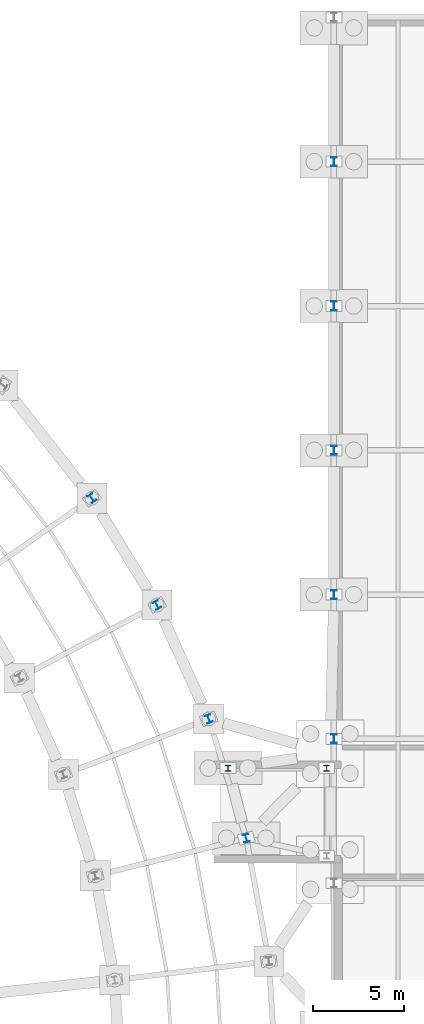
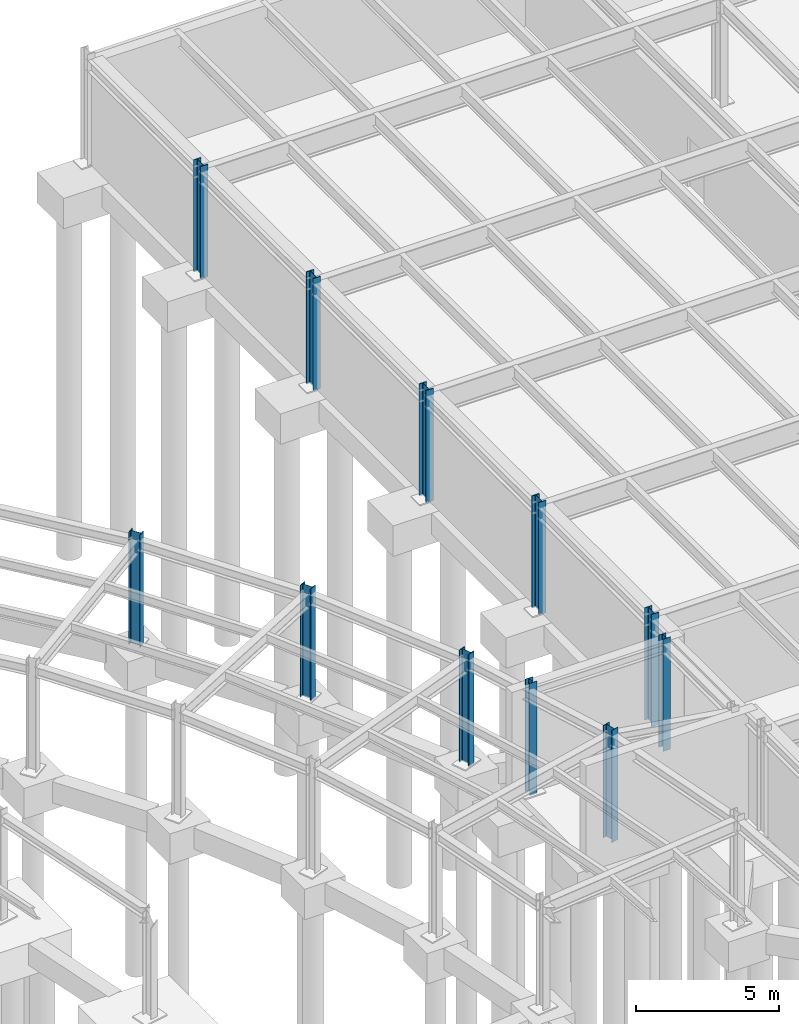
# One storey, part 22 of 50: 11 columns.
"""IFC4 building model written with IfcOpenShell, lengths in metres."""

from ifc_helpers import new_model, si_unit, direction, frame, origin, origin_2d, place, context, subcontext, project, spatial, i_section, extrude, material, material_profile, profile_set, type_object, element, save


model = new_model("IFC4")

# Units and contexts
model_context = context("Model", 3, precision=1e-05, world=origin(), true_north=direction((0.0, 1.0)))
body_context = subcontext(model_context, "Body", "Model", "MODEL_VIEW")
ifc_project = project(units=[si_unit("LENGTHUNIT", "METRE"), si_unit("AREAUNIT", "SQUARE_METRE"), si_unit("VOLUMEUNIT", "CUBIC_METRE"), si_unit("PLANEANGLEUNIT", "RADIAN"), si_unit("MASSUNIT", "GRAM", prefix="KILO")], contexts=[model_context])

# Site, building, storey
site_placement = place(None, origin())
site = spatial("IfcSite", under=ifc_project, at=site_placement, CompositionType="ELEMENT")
building_placement = place(site_placement, origin())
building = spatial("IfcBuilding", under=site, at=building_placement, Name="Varnklinge Art Gallery", CompositionType="ELEMENT")
storey_placement = place(building_placement, frame((0.0, 0.0, -4.800048828125)))
storey = spatial("IfcBuildingStorey", under=building, at=storey_placement, Name="B01", CompositionType="ELEMENT", Elevation=-4.800048828125)

# Columns
ifc_material_1 = material(Name="Steel S355", Category="steel")
ifc_material_profile_1 = material_profile(ifc_material_1, i_section(OverallWidth=0.300048828125, OverallDepth=0.449951171875, WebThickness=0.013916015625, FlangeThickness=0.02587890625, FilletRadius=0.027099609375, at=origin_2d()), Name="HEB 450")
ifc_profile_set_1 = profile_set([ifc_material_profile_1], Name="Steel S355")
column_type_1 = type_object("IfcColumnType", Name="COL-06", PredefinedType="COLUMN", material=ifc_profile_set_1)
for number, where, z_axis, x_axis, name in (
    (1, (109.598388671875, 68.56591796875, 0.0), (0.0, 0.0, 1.0), (-0.970506473469, -0.241075060833, 0.0), "B01 Column V2CO-09"),
    (2, (107.54638671875, 75.09716796875, 0.0), (0.0, 0.0, 1.0), (-0.934017558691, -0.357227098715, 0.0), "B01 Column V2CO-10"),
    (3, (104.71630859375, 81.3310546875, 0.0), (0.0, 0.0, 1.0), (-0.883683947469, -0.468084053333, 0.0), "B01 Column V2CO-11"),
    (4, (101.14990234375, 87.1748046875, 0.0), (0.0, 0.0, 1.0), (-0.820351542489, -0.571859551582, 0.0), "B01 Column V2CO-12"),
):
    element("IfcColumn", number, at=place(storey_placement, frame(where, z_axis=z_axis, x_axis=x_axis)), inside=storey, type_object=column_type_1, Name=name, PredefinedType="COLUMN", context=body_context, shape_type="SweptSolid", body=[
        extrude(i_section(OverallWidth=0.300048828125, OverallDepth=0.449951171875, WebThickness=0.013916015625, FlangeThickness=0.02587890625, FilletRadius=0.027099609375, at=origin_2d()), origin(), (0.0, 0.0, 1.0), 4.800048828125),
    ])
ifc_material_2 = material(Name="Steel S355", Category="steel")
ifc_material_profile_2 = material_profile(ifc_material_2, i_section(OverallWidth=0.300048828125, OverallDepth=0.320068359375, WebThickness=0.011474609375, FlangeThickness=0.0205078125, FilletRadius=0.027099609375, at=origin_2d()), Name="HEB 320")
ifc_profile_set_2 = profile_set([ifc_material_profile_2], Name="Steel S355")
column_type_2 = type_object("IfcColumnType", Name="COL-09", PredefinedType="COLUMN", material=ifc_profile_set_2)
for number, where, z_axis, x_axis, name in (
    (5, (114.0, 72.39990234375, 0.0), (0.0, 0.0, 1.0), (1.0, 0.0, 0.0), "B01 Column LNK-V1-C3"),
    (6, (108.60009765625, 72.39990234375, 0.0), (0.0, 0.0, 1.0), (1.0, 0.0, 0.0), "B01 Column LNK-V1-C4"),
):
    element("IfcColumn", number, at=place(storey_placement, frame(where, z_axis=z_axis, x_axis=x_axis)), inside=storey, type_object=column_type_2, Name=name, PredefinedType="COLUMN", context=body_context, shape_type="SweptSolid", body=[
        extrude(i_section(OverallWidth=0.300048828125, OverallDepth=0.320068359375, WebThickness=0.011474609375, FlangeThickness=0.0205078125, FilletRadius=0.027099609375, at=origin_2d()), origin(), (0.0, 0.0, 1.0), 4.800048828125),
    ])
ifc_material_3 = material(Name="Steel S355", Category="steel")
ifc_material_profile_3 = material_profile(ifc_material_3, i_section(OverallWidth=0.300048828125, OverallDepth=0.5, WebThickness=0.014404296875, FlangeThickness=0.028076171875, FilletRadius=0.027099609375, at=origin_2d()), Name="HEB 500")
ifc_profile_set_3 = profile_set([ifc_material_profile_3], Name="Steel S355")
column_type_3 = type_object("IfcColumnType", Name="COL-E1", PredefinedType="COLUMN", material=ifc_profile_set_3)
for number, where, z_axis, x_axis, name in (
    (7, (114.39990234375, 74.0, 0.0), (0.0, 0.0, 1.0), (1.0, 0.0, 0.0), "B01 Column V1C-1-3"),
    (8, (114.39990234375, 81.89990234375, 0.0), (0.0, 0.0, 1.0), (1.0, 0.0, 0.0), "B01 Column V1C-1-4"),
    (9, (114.39990234375, 89.800048828125, 0.0), (0.0, 0.0, 1.0), (1.0, 0.0, 0.0), "B01 Column V1C-1-5"),
    (10, (114.39990234375, 97.699951171875, 0.0), (0.0, 0.0, 1.0), (1.0, 0.0, 0.0), "B01 Column V1C-1-6"),
    (11, (114.39990234375, 105.60009765625, 0.0), (0.0, 0.0, 1.0), (1.0, 0.0, 0.0), "B01 Column V1C-1-7"),
):
    element("IfcColumn", number, at=place(storey_placement, frame(where, z_axis=z_axis, x_axis=x_axis)), inside=storey, type_object=column_type_3, Name=name, PredefinedType="COLUMN", context=body_context, shape_type="SweptSolid", body=[
        extrude(i_section(OverallWidth=0.300048828125, OverallDepth=0.5, WebThickness=0.014404296875, FlangeThickness=0.028076171875, FilletRadius=0.027099609375, at=origin_2d()), origin(), (0.0, 0.0, 1.0), 4.800048828125),
    ])

save(model, "model.ifc")
